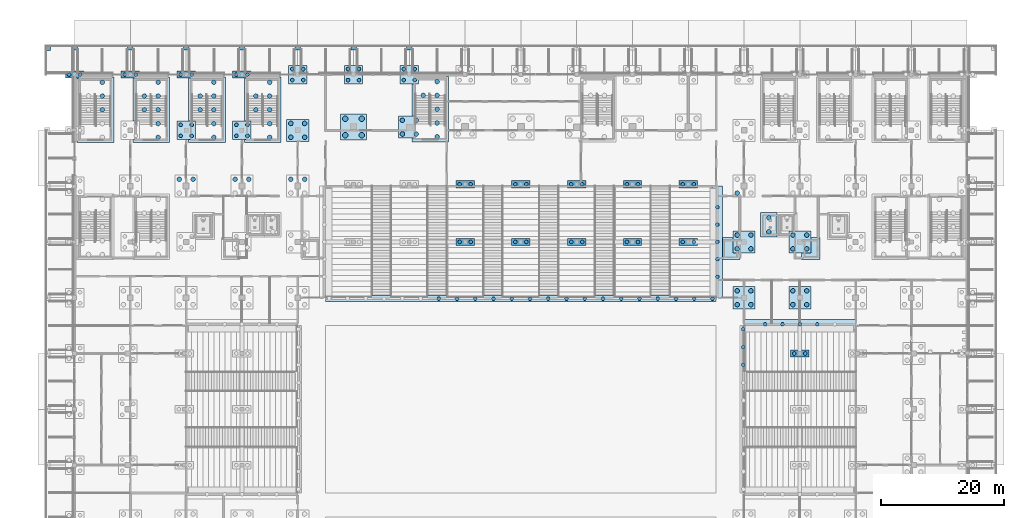
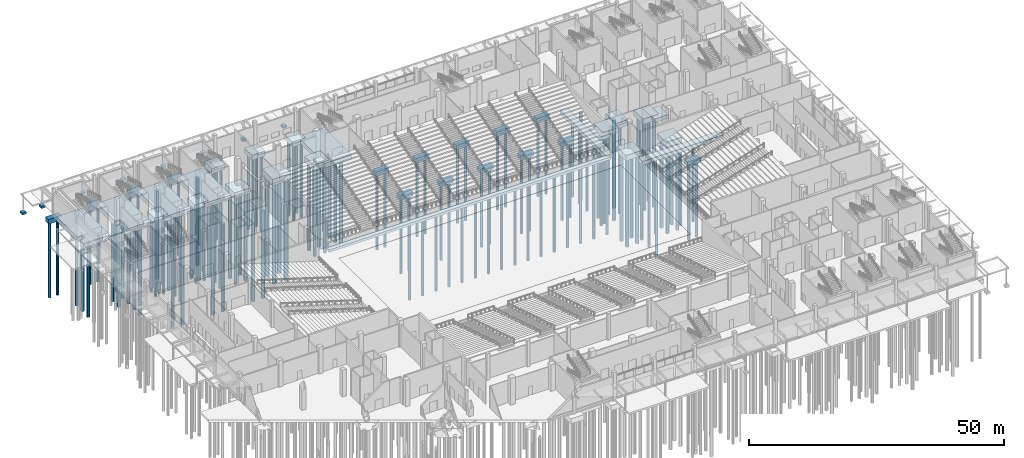
# One storey, part 4 of 129: 145 piles, 46 footings.
"""IFC4 building model written with IfcOpenShell, lengths in metres."""

from ifc_helpers import new_model, si_unit, direction, frame, origin, origin_2d, place, context, subcontext, project, spatial, polyline, rectangle, circle, outline, extrude, material, material_profile, profile_set, type_object, element, save


model = new_model("IFC4")

# Units and contexts
model_context = context("Model", 3, precision=1e-05, world=origin(), true_north=direction((0.0, 1.0)))
body_context = subcontext(model_context, "Body", "Model", "MODEL_VIEW")
ifc_project = project(units=[si_unit("LENGTHUNIT", "METRE"), si_unit("AREAUNIT", "SQUARE_METRE"), si_unit("VOLUMEUNIT", "CUBIC_METRE"), si_unit("PLANEANGLEUNIT", "RADIAN"), si_unit("MASSUNIT", "GRAM", prefix="KILO")], contexts=[model_context])

# Site, building, storey
site_placement = place(None, origin())
site = spatial("IfcSite", under=ifc_project, at=site_placement, CompositionType="ELEMENT")
building_placement = place(site_placement, origin())
building = spatial("IfcBuilding", under=site, at=building_placement, Name="Shirokan Park Arena", CompositionType="ELEMENT")
storey_placement = place(building_placement, origin())
storey = spatial("IfcBuildingStorey", under=building, at=storey_placement, Name="L00", CompositionType="ELEMENT", Elevation=0.0)

# Piles
ifc_material = material(Name="Concrete C30", Category="concrete")
ifc_material_profile_1 = material_profile(ifc_material, circle(Radius=0.300048828125, at=origin_2d()), Name="D600")
ifc_profile_set_1 = profile_set([ifc_material_profile_1], Name="Concrete C30")
pile_type_1 = type_object("IfcPileType", Name="Bored pile 600", PredefinedType="BORED", material=ifc_profile_set_1)
for number, where, z_axis, x_axis, name in (
    (1, (-0.89990234375, 109.199951171875, -1.5), (0.0, 0.0, -1.0), (1.0, 0.0, 0.0), "Bored pile 1N 1"),
    (2, (0.89990234375, 109.199951171875, -1.5), (0.0, 0.0, -1.0), (1.0, 0.0, 0.0), "Bored pile 1N 2"),
    (3, (8.199951171875, 109.199951171875, -1.5), (0.0, 0.0, -1.0), (1.0, 0.0, 0.0), "Bored pile 2N 1"),
    (4, (10.0, 109.199951171875, -1.5), (0.0, 0.0, -1.0), (1.0, 0.0, 0.0), "Bored pile 2N 2"),
    (5, (17.300048828125, 99.199951171875, -1.60009765625), (0.0, 0.0, -1.0), (1.0, 0.0, 0.0), "Bored pile 3M 1"),
    (6, (17.300048828125, 101.0, -1.60009765625), (0.0, 0.0, -1.0), (1.0, 0.0, 0.0), "Bored pile 3M 2"),
    (7, (19.10009765625, 99.199951171875, -1.60009765625), (0.0, 0.0, -1.0), (1.0, 0.0, 0.0), "Bored pile 3M 3"),
    (8, (19.10009765625, 101.0, -1.60009765625), (0.0, 0.0, -1.0), (1.0, 0.0, 0.0), "Bored pile 3M 4"),
    (9, (17.300048828125, 109.199951171875, -1.5), (0.0, 0.0, -1.0), (1.0, 0.0, 0.0), "Bored pile 3N 1"),
    (10, (19.10009765625, 109.199951171875, -1.5), (0.0, 0.0, -1.0), (1.0, 0.0, 0.0), "Bored pile 3N 2"),
    (11, (26.39990234375, 99.199951171875, -1.60009765625), (0.0, 0.0, -1.0), (1.0, 0.0, 0.0), "Bored pile 4M 1"),
    (12, (26.39990234375, 101.0, -1.60009765625), (0.0, 0.0, -1.0), (1.0, 0.0, 0.0), "Bored pile 4M 2"),
    (13, (28.199951171875, 99.199951171875, -1.60009765625), (0.0, 0.0, -1.0), (1.0, 0.0, 0.0), "Bored pile 4M 3"),
    (14, (28.199951171875, 101.0, -1.60009765625), (0.0, 0.0, -1.0), (1.0, 0.0, 0.0), "Bored pile 4M 4"),
    (15, (26.39990234375, 109.199951171875, -1.5), (0.0, 0.0, -1.0), (1.0, 0.0, 0.0), "Bored pile 4N 1"),
    (16, (28.199951171875, 109.199951171875, -1.5), (0.0, 0.0, -1.0), (1.0, 0.0, 0.0), "Bored pile 4N 2"),
    (17, (35.5, 108.300048828125, -1.60009765625), (0.0, 0.0, -1.0), (1.0, 0.0, 0.0), "Bored pile 5N 1"),
    (18, (35.5, 110.10009765625, -1.60009765625), (0.0, 0.0, -1.0), (1.0, 0.0, 0.0), "Bored pile 5N 2"),
    (19, (37.300048828125, 108.300048828125, -1.60009765625), (0.0, 0.0, -1.0), (1.0, 0.0, 0.0), "Bored pile 5N 3"),
    (20, (37.300048828125, 110.10009765625, -1.60009765625), (0.0, 0.0, -1.0), (1.0, 0.0, 0.0), "Bored pile 5N 4"),
    (21, (44.60009765625, 108.300048828125, -1.60009765625), (0.0, 0.0, -1.0), (1.0, 0.0, 0.0), "Bored pile 6N 1"),
    (22, (44.60009765625, 110.10009765625, -1.60009765625), (0.0, 0.0, -1.0), (1.0, 0.0, 0.0), "Bored pile 6N 2"),
    (23, (46.39990234375, 108.300048828125, -1.60009765625), (0.0, 0.0, -1.0), (1.0, 0.0, 0.0), "Bored pile 6N 3"),
    (24, (46.39990234375, 110.10009765625, -1.60009765625), (0.0, 0.0, -1.0), (1.0, 0.0, 0.0), "Bored pile 6N 4"),
    (25, (53.699951171875, 108.300048828125, -1.60009765625), (0.0, 0.0, -1.0), (1.0, 0.0, 0.0), "Bored pile 7N 1"),
    (26, (53.699951171875, 110.10009765625, -1.60009765625), (0.0, 0.0, -1.0), (1.0, 0.0, 0.0), "Bored pile 7N 2"),
    (27, (55.5, 108.300048828125, -1.60009765625), (0.0, 0.0, -1.0), (1.0, 0.0, 0.0), "Bored pile 7N 3"),
    (28, (55.5, 110.10009765625, -1.60009765625), (0.0, 0.0, -1.0), (1.0, 0.0, 0.0), "Bored pile 7N 4"),
    (29, (62.800048828125, 81.89990234375, -1.5), (0.0, 0.0, -1.0), (1.0, 0.0, 0.0), "Bored pile 8K 1"),
    (30, (64.60009765625, 81.89990234375, -1.5), (0.0, 0.0, -1.0), (1.0, 0.0, 0.0), "Bored pile 8K 2"),
    (31, (62.800048828125, 91.300048828125, -1.5), (0.0, 0.0, -1.0), (1.0, 0.0, 0.0), "Bored pile 8L 1"),
    (32, (64.60009765625, 91.300048828125, -1.5), (0.0, 0.0, -1.0), (1.0, 0.0, 0.0), "Bored pile 8L 2"),
    (33, (71.89990234375, 81.89990234375, -1.5), (0.0, 0.0, -1.0), (1.0, 0.0, 0.0), "Bored pile 9K 1"),
    (34, (73.699951171875, 81.89990234375, -1.5), (0.0, 0.0, -1.0), (1.0, 0.0, 0.0), "Bored pile 9K 2"),
    (35, (71.89990234375, 91.300048828125, -1.5), (0.0, 0.0, -1.0), (1.0, 0.0, 0.0), "Bored pile 9L 1"),
    (36, (73.699951171875, 91.300048828125, -1.5), (0.0, 0.0, -1.0), (1.0, 0.0, 0.0), "Bored pile 9L 2"),
    (37, (81.0, 81.89990234375, -1.5), (0.0, 0.0, -1.0), (1.0, 0.0, 0.0), "Bored pile 10K 1"),
    (38, (82.800048828125, 81.89990234375, -1.5), (0.0, 0.0, -1.0), (1.0, 0.0, 0.0), "Bored pile 10K 2"),
    (39, (81.0, 91.300048828125, -1.5), (0.0, 0.0, -1.0), (1.0, 0.0, 0.0), "Bored pile 10L 1"),
    (40, (82.800048828125, 91.300048828125, -1.5), (0.0, 0.0, -1.0), (1.0, 0.0, 0.0), "Bored pile 10L 2"),
    (41, (90.10009765625, 81.89990234375, -1.5), (0.0, 0.0, -1.0), (1.0, 0.0, 0.0), "Bored pile 11K 1"),
    (42, (91.89990234375, 81.89990234375, -1.5), (0.0, 0.0, -1.0), (1.0, 0.0, 0.0), "Bored pile 11K 2"),
    (43, (90.10009765625, 91.300048828125, -1.5), (0.0, 0.0, -1.0), (1.0, 0.0, 0.0), "Bored pile 11L 1"),
    (44, (91.89990234375, 91.300048828125, -1.5), (0.0, 0.0, -1.0), (1.0, 0.0, 0.0), "Bored pile 11L 2"),
    (45, (99.199951171875, 81.89990234375, -1.5), (0.0, 0.0, -1.0), (1.0, 0.0, 0.0), "Bored pile 12K 1"),
    (46, (101.0, 81.89990234375, -1.5), (0.0, 0.0, -1.0), (1.0, 0.0, 0.0), "Bored pile 12K 2"),
    (47, (99.199951171875, 91.300048828125, -1.5), (0.0, 0.0, -1.0), (1.0, 0.0, 0.0), "Bored pile 12L 1"),
    (48, (101.0, 91.300048828125, -1.5), (0.0, 0.0, -1.0), (1.0, 0.0, 0.0), "Bored pile 12L 2"),
    (49, (117.39990234375, 63.699951171875, -1.5), (0.0, 0.0, -1.0), (1.0, 0.0, 0.0), "Bored pile 14H 1"),
    (50, (119.199951171875, 63.699951171875, -1.5), (0.0, 0.0, -1.0), (1.0, 0.0, 0.0), "Bored pile 14H 2"),
    (51, (59.4072265625, 72.64990234375, -1.0), (0.0, 0.0, -1.0), (1.0, 0.0, 0.0), "Bored pile front wall N 7"),
    (52, (62.38330078125, 72.64990234375, -1.0), (0.0, 0.0, -1.0), (1.0, 0.0, 0.0), "Bored pile front wall N 8"),
    (53, (65.359619140625, 72.64990234375, -1.0), (0.0, 0.0, -1.0), (1.0, 0.0, 0.0), "Bored pile front wall N 9"),
    (54, (68.335693359375, 72.64990234375, -1.0), (0.0, 0.0, -1.0), (1.0, 0.0, 0.0), "Bored pile front wall N 10"),
    (55, (71.31201171875, 72.64990234375, -1.0), (0.0, 0.0, -1.0), (1.0, 0.0, 0.0), "Bored pile front wall N 11"),
    (56, (74.2880859375, 72.64990234375, -1.0), (0.0, 0.0, -1.0), (1.0, 0.0, 0.0), "Bored pile front wall N 12"),
    (57, (77.264404296875, 72.64990234375, -1.0), (0.0, 0.0, -1.0), (1.0, 0.0, 0.0), "Bored pile front wall N 13"),
    (58, (80.240478515625, 72.64990234375, -1.0), (0.0, 0.0, -1.0), (1.0, 0.0, 0.0), "Bored pile front wall N 14"),
    (59, (83.216552734375, 72.64990234375, -1.0), (0.0, 0.0, -1.0), (1.0, 0.0, 0.0), "Bored pile front wall N 15"),
    (60, (86.19287109375, 72.64990234375, -1.0), (0.0, 0.0, -1.0), (1.0, 0.0, 0.0), "Bored pile front wall N 16"),
    (61, (89.1689453125, 72.64990234375, -1.0), (0.0, 0.0, -1.0), (1.0, 0.0, 0.0), "Bored pile front wall N 17"),
    (62, (92.145263671875, 72.64990234375, -1.0), (0.0, 0.0, -1.0), (1.0, 0.0, 0.0), "Bored pile front wall N 18"),
    (63, (95.121337890625, 72.64990234375, -1.0), (0.0, 0.0, -1.0), (1.0, 0.0, 0.0), "Bored pile front wall N 19"),
    (64, (98.09765625, 72.64990234375, -1.0), (0.0, 0.0, -1.0), (1.0, 0.0, 0.0), "Bored pile front wall N 20"),
    (65, (101.07373046875, 72.64990234375, -1.0), (0.0, 0.0, -1.0), (1.0, 0.0, 0.0), "Bored pile front wall N 21"),
    (66, (104.050048828125, 72.64990234375, -1.0), (0.0, 0.0, -1.0), (1.0, 0.0, 0.0), "Bored pile front wall N 22"),
    (67, (109.050048828125, 61.85009765625, -1.0), (0.0, 0.0, -1.0), (1.0, 0.0, 0.0), "Bored pile front wall E 8"),
    (68, (109.050048828125, 64.75, -1.0), (0.0, 0.0, -1.0), (1.0, 0.0, 0.0), "Bored pile front wall E 9"),
    (69, (109.050048828125, 67.64990234375, -1.0), (0.0, 0.0, -1.0), (1.0, 0.0, 0.0), "Bored pile front wall E 10"),
    (70, (104.85009765625, 76.2333984375, -1.300048828125), (0.0, 0.0, -1.0), (1.0, 0.0, 0.0), "Bored pile flank wall N2 1"),
    (71, (104.85009765625, 79.066650390625, -1.300048828125), (0.0, 0.0, -1.0), (1.0, 0.0, 0.0), "Bored pile flank wall N2 2"),
    (72, (104.85009765625, 81.89990234375, -1.300048828125), (0.0, 0.0, -1.0), (1.0, 0.0, 0.0), "Bored pile flank wall N2 3"),
    (73, (104.85009765625, 84.7333984375, -1.300048828125), (0.0, 0.0, -1.0), (1.0, 0.0, 0.0), "Bored pile flank wall N2 4"),
    (74, (104.85009765625, 87.566650390625, -1.300048828125), (0.0, 0.0, -1.0), (1.0, 0.0, 0.0), "Bored pile flank wall N2 5"),
    (75, (112.63330078125, 68.449951171875, -1.300048828125), (0.0, 0.0, -1.0), (1.0, 0.0, 0.0), "Bored pile flank wall E2 1"),
    (76, (115.466552734375, 68.449951171875, -1.300048828125), (0.0, 0.0, -1.0), (1.0, 0.0, 0.0), "Bored pile flank wall E2 2"),
    (77, (118.300048828125, 68.449951171875, -1.300048828125), (0.0, 0.0, -1.0), (1.0, 0.0, 0.0), "Bored pile flank wall E2 3"),
    (78, (121.13330078125, 68.449951171875, -1.300048828125), (0.0, 0.0, -1.0), (1.0, 0.0, 0.0), "Bored pile flank wall E2 4"),
):
    element("IfcPile", number, at=place(storey_placement, frame(where, z_axis=z_axis, x_axis=x_axis)), inside=storey, type_object=pile_type_1, Name=name, PredefinedType="BORED", context=body_context, shape_type="SweptSolid", body=[
        extrude(circle(Radius=0.300048828125, at=origin_2d()), origin(), (0.0, 0.0, 1.0), 18.0),
    ])
ifc_material_profile_2 = material_profile(ifc_material, circle(Radius=0.375, at=origin_2d()), Name="D750")
ifc_profile_set_2 = profile_set([ifc_material_profile_2], Name="Concrete C30")
pile_type_2 = type_object("IfcPileType", Name="Bored pile 750", PredefinedType="BORED", material=ifc_profile_set_2)
for number, where, z_axis, x_axis, name in (
    (79, (17.074951171875, 92.125, -1.699951171875), (0.0, 0.0, -1.0), (1.0, 0.0, 0.0), "Bored pile 3L 2"),
    (80, (19.324951171875, 92.125, -1.699951171875), (0.0, 0.0, -1.0), (1.0, 0.0, 0.0), "Bored pile 3L 4"),
    (81, (26.175048828125, 92.125, -1.699951171875), (0.0, 0.0, -1.0), (1.0, 0.0, 0.0), "Bored pile 4L 2"),
    (82, (28.425048828125, 92.125, -1.699951171875), (0.0, 0.0, -1.0), (1.0, 0.0, 0.0), "Bored pile 4L 4"),
    (83, (35.27490234375, 92.125, -1.699951171875), (0.0, 0.0, -1.0), (1.0, 0.0, 0.0), "Bored pile 5L 2"),
    (84, (37.52490234375, 92.125, -1.699951171875), (0.0, 0.0, -1.0), (1.0, 0.0, 0.0), "Bored pile 5L 4"),
    (85, (35.27490234375, 98.97509765625, -1.699951171875), (0.0, 0.0, -1.0), (1.0, 0.0, 0.0), "Bored pile 5M 1"),
    (86, (35.27490234375, 101.22509765625, -1.699951171875), (0.0, 0.0, -1.0), (1.0, 0.0, 0.0), "Bored pile 5M 2"),
    (87, (37.52490234375, 98.97509765625, -1.699951171875), (0.0, 0.0, -1.0), (1.0, 0.0, 0.0), "Bored pile 5M 3"),
    (88, (37.52490234375, 101.22509765625, -1.699951171875), (0.0, 0.0, -1.0), (1.0, 0.0, 0.0), "Bored pile 5M 4"),
    (89, (53.47509765625, 99.5, -1.699951171875), (0.0, 0.0, -1.0), (1.0, 0.0, 0.0), "Bored pile 7M 1"),
    (90, (53.47509765625, 101.75, -1.699951171875), (0.0, 0.0, -1.0), (1.0, 0.0, 0.0), "Bored pile 7M 2"),
    (91, (55.72509765625, 99.5, -1.699951171875), (0.0, 0.0, -1.0), (1.0, 0.0, 0.0), "Bored pile 7M 3"),
    (92, (55.72509765625, 101.75, -1.699951171875), (0.0, 0.0, -1.0), (1.0, 0.0, 0.0), "Bored pile 7M 4"),
    (93, (108.074951171875, 71.675048828125, -1.699951171875), (0.0, 0.0, -1.0), (1.0, 0.0, 0.0), "Bored pile 13J 1"),
    (94, (108.074951171875, 73.925048828125, -1.699951171875), (0.0, 0.0, -1.0), (1.0, 0.0, 0.0), "Bored pile 13J 2"),
    (95, (110.324951171875, 71.675048828125, -1.699951171875), (0.0, 0.0, -1.0), (1.0, 0.0, 0.0), "Bored pile 13J 3"),
    (96, (110.324951171875, 73.925048828125, -1.699951171875), (0.0, 0.0, -1.0), (1.0, 0.0, 0.0), "Bored pile 13J 4"),
    (97, (108.074951171875, 80.77490234375, -1.699951171875), (0.0, 0.0, -1.0), (1.0, 0.0, 0.0), "Bored pile 13K 1"),
    (98, (108.074951171875, 83.02490234375, -1.699951171875), (0.0, 0.0, -1.0), (1.0, 0.0, 0.0), "Bored pile 13K 2"),
    (99, (110.324951171875, 80.77490234375, -1.699951171875), (0.0, 0.0, -1.0), (1.0, 0.0, 0.0), "Bored pile 13K 3"),
    (100, (110.324951171875, 83.02490234375, -1.699951171875), (0.0, 0.0, -1.0), (1.0, 0.0, 0.0), "Bored pile 13K 4"),
    (101, (108.074951171875, 89.875, -1.699951171875), (0.0, 0.0, -1.0), (1.0, 0.0, 0.0), "Bored pile 13L 1"),
    (102, (117.175048828125, 71.675048828125, -1.699951171875), (0.0, 0.0, -1.0), (1.0, 0.0, 0.0), "Bored pile 14J 1"),
    (103, (117.175048828125, 73.925048828125, -1.699951171875), (0.0, 0.0, -1.0), (1.0, 0.0, 0.0), "Bored pile 14J 2"),
    (104, (119.425048828125, 71.675048828125, -1.699951171875), (0.0, 0.0, -1.0), (1.0, 0.0, 0.0), "Bored pile 14J 3"),
    (105, (119.425048828125, 73.925048828125, -1.699951171875), (0.0, 0.0, -1.0), (1.0, 0.0, 0.0), "Bored pile 14J 4"),
    (106, (117.175048828125, 80.77490234375, -1.699951171875), (0.0, 0.0, -1.0), (1.0, 0.0, 0.0), "Bored pile 14K 1"),
    (107, (117.175048828125, 83.02490234375, -1.699951171875), (0.0, 0.0, -1.0), (1.0, 0.0, 0.0), "Bored pile 14K 2"),
    (108, (119.425048828125, 80.77490234375, -1.699951171875), (0.0, 0.0, -1.0), (1.0, 0.0, 0.0), "Bored pile 14K 3"),
    (109, (119.425048828125, 83.02490234375, -1.699951171875), (0.0, 0.0, -1.0), (1.0, 0.0, 0.0), "Bored pile 14K 4"),
    (110, (113.25, 83.574951171875, -2.800048828125), (0.0, 0.0, -1.0), (1.0, 0.0, 0.0), "Bored pile Passenger Lift 3.2 1"),
    (111, (113.25, 85.824951171875, -2.800048828125), (0.0, 0.0, -1.0), (1.0, 0.0, 0.0), "Bored pile Passenger Lift 3.2 2"),
    (112, (4.52490234375, 103.449951171875, -1.5), (0.0, 0.0, -1.0), (1.0, 0.0, 0.0), "Bored pile Exit Stair 4.A 5"),
    (113, (4.52490234375, 105.699951171875, -1.5), (0.0, 0.0, -1.0), (1.0, 0.0, 0.0), "Bored pile Exit Stair 4.A 6"),
    (114, (4.52490234375, 107.949951171875, -1.5), (0.0, 0.0, -1.0), (1.0, 0.0, 0.0), "Bored pile Exit Stair 4.A 7"),
    (115, (11.375, 103.449951171875, -1.5), (0.0, 0.0, -1.0), (1.0, 0.0, 0.0), "Bored pile Exit Stair 4.B 1"),
    (116, (11.375, 105.699951171875, -1.5), (0.0, 0.0, -1.0), (1.0, 0.0, 0.0), "Bored pile Exit Stair 4.B 2"),
    (117, (13.625, 98.949951171875, -1.5), (0.0, 0.0, -1.0), (1.0, 0.0, 0.0), "Bored pile Exit Stair 4.B 3"),
    (118, (13.625, 101.199951171875, -1.5), (0.0, 0.0, -1.0), (1.0, 0.0, 0.0), "Bored pile Exit Stair 4.B 4"),
    (119, (13.625, 103.449951171875, -1.5), (0.0, 0.0, -1.0), (1.0, 0.0, 0.0), "Bored pile Exit Stair 4.B 5"),
    (120, (13.625, 105.699951171875, -1.5), (0.0, 0.0, -1.0), (1.0, 0.0, 0.0), "Bored pile Exit Stair 4.B 6"),
    (121, (13.625, 107.949951171875, -1.5), (0.0, 0.0, -1.0), (1.0, 0.0, 0.0), "Bored pile Exit Stair 4.B 7"),
    (122, (20.47509765625, 103.449951171875, -1.5), (0.0, 0.0, -1.0), (1.0, 0.0, 0.0), "Bored pile Exit Stair 4.C 1"),
    (123, (20.47509765625, 105.699951171875, -1.5), (0.0, 0.0, -1.0), (1.0, 0.0, 0.0), "Bored pile Exit Stair 4.C 2"),
    (124, (22.72509765625, 98.949951171875, -1.5), (0.0, 0.0, -1.0), (1.0, 0.0, 0.0), "Bored pile Exit Stair 4.C 3"),
    (125, (22.72509765625, 101.199951171875, -1.5), (0.0, 0.0, -1.0), (1.0, 0.0, 0.0), "Bored pile Exit Stair 4.C 4"),
    (126, (22.72509765625, 103.449951171875, -1.5), (0.0, 0.0, -1.0), (1.0, 0.0, 0.0), "Bored pile Exit Stair 4.C 5"),
    (127, (22.72509765625, 105.699951171875, -1.5), (0.0, 0.0, -1.0), (1.0, 0.0, 0.0), "Bored pile Exit Stair 4.C 6"),
    (128, (22.72509765625, 107.949951171875, -1.5), (0.0, 0.0, -1.0), (1.0, 0.0, 0.0), "Bored pile Exit Stair 4.C 7"),
    (129, (29.574951171875, 103.449951171875, -1.5), (0.0, 0.0, -1.0), (1.0, 0.0, 0.0), "Bored pile Exit Stair 4.D 1"),
    (130, (29.574951171875, 105.699951171875, -1.5), (0.0, 0.0, -1.0), (1.0, 0.0, 0.0), "Bored pile Exit Stair 4.D 2"),
    (131, (31.824951171875, 98.949951171875, -1.5), (0.0, 0.0, -1.0), (1.0, 0.0, 0.0), "Bored pile Exit Stair 4.D 3"),
    (132, (31.824951171875, 101.199951171875, -1.5), (0.0, 0.0, -1.0), (1.0, 0.0, 0.0), "Bored pile Exit Stair 4.D 4"),
    (133, (31.824951171875, 103.449951171875, -1.5), (0.0, 0.0, -1.0), (1.0, 0.0, 0.0), "Bored pile Exit Stair 4.D 5"),
    (134, (31.824951171875, 105.699951171875, -1.5), (0.0, 0.0, -1.0), (1.0, 0.0, 0.0), "Bored pile Exit Stair 4.D 6"),
    (135, (31.824951171875, 107.949951171875, -1.5), (0.0, 0.0, -1.0), (1.0, 0.0, 0.0), "Bored pile Exit Stair 4.D 7"),
    (136, (56.875, 105.800048828125, -1.5), (0.0, 0.0, -1.0), (1.0, 0.0, 0.0), "Bored pile Entrance Stair E4.1 1"),
    (137, (59.125, 99.050048828125, -1.5), (0.0, 0.0, -1.0), (1.0, 0.0, 0.0), "Bored pile Entrance Stair E4.1 2"),
    (138, (59.125, 101.300048828125, -1.5), (0.0, 0.0, -1.0), (1.0, 0.0, 0.0), "Bored pile Entrance Stair E4.1 3"),
    (139, (59.125, 103.550048828125, -1.5), (0.0, 0.0, -1.0), (1.0, 0.0, 0.0), "Bored pile Entrance Stair E4.1 4"),
    (140, (59.125, 105.800048828125, -1.5), (0.0, 0.0, -1.0), (1.0, 0.0, 0.0), "Bored pile Entrance Stair E4.1 5"),
    (141, (59.125, 108.050048828125, -1.5), (0.0, 0.0, -1.0), (1.0, 0.0, 0.0), "Bored pile Entrance Stair E4.1 6"),
):
    element("IfcPile", number, at=place(storey_placement, frame(where, z_axis=z_axis, x_axis=x_axis)), inside=storey, type_object=pile_type_2, Name=name, PredefinedType="BORED", context=body_context, shape_type="SweptSolid", body=[
        extrude(circle(Radius=0.375, at=origin_2d()), origin(), (0.0, 0.0, 1.0), 21.0),
    ])
ifc_material_profile_3 = material_profile(ifc_material, circle(Radius=0.449951171875, at=origin_2d()), Name="D900")
ifc_profile_set_3 = profile_set([ifc_material_profile_3], Name="Concrete C30")
pile_type_3 = type_object("IfcPileType", Name="Bored pile 900", PredefinedType="BORED", material=ifc_profile_set_3)
for number, where, z_axis, x_axis, name in (
    (142, (44.14990234375, 99.300048828125, -1.89990234375), (0.0, 0.0, -1.0), (1.0, 0.0, 0.0), "Bored pile 6M 1"),
    (143, (44.14990234375, 102.0, -1.89990234375), (0.0, 0.0, -1.0), (1.0, 0.0, 0.0), "Bored pile 6M 2"),
    (144, (46.85009765625, 99.300048828125, -1.89990234375), (0.0, 0.0, -1.0), (1.0, 0.0, 0.0), "Bored pile 6M 3"),
    (145, (46.85009765625, 102.0, -1.89990234375), (0.0, 0.0, -1.0), (1.0, 0.0, 0.0), "Bored pile 6M 4"),
):
    element("IfcPile", number, at=place(storey_placement, frame(where, z_axis=z_axis, x_axis=x_axis)), inside=storey, type_object=pile_type_3, Name=name, PredefinedType="BORED", context=body_context, shape_type="SweptSolid", body=[
        extrude(circle(Radius=0.449951171875, at=origin_2d()), origin(), (0.0, 0.0, 1.0), 24.0),
    ])

# Footings
footing_type_1 = type_object("IfcFootingType", Name="Pad footing 900x900x500", PredefinedType="PAD_FOOTING", material=ifc_material)
for number, where, z_axis, x_axis, name in (
    (146, (54.60009765625, 113.625, -0.89990234375), (0.0, 0.0, 1.0), (1.0, 0.0, 0.0), "Pad footing north grid 11"),
    (147, (45.5, 113.625, -0.89990234375), (0.0, 0.0, 1.0), (1.0, 0.0, 0.0), "Pad footing north grid 12"),
    (148, (36.39990234375, 113.625, -0.89990234375), (0.0, 0.0, 1.0), (1.0, 0.0, 0.0), "Pad footing north grid 13"),
    (149, (27.300048828125, 113.625, -0.89990234375), (0.0, 0.0, 1.0), (1.0, 0.0, 0.0), "Pad footing north grid 14"),
    (150, (18.199951171875, 113.625, -0.89990234375), (0.0, 0.0, 1.0), (1.0, 0.0, 0.0), "Pad footing north grid 15"),
    (151, (9.10009765625, 113.625, -0.89990234375), (0.0, 0.0, 1.0), (1.0, 0.0, 0.0), "Pad footing north grid 16"),
    (152, (0.0, 113.625, -0.89990234375), (0.0, 0.0, 1.0), (1.0, 0.0, 0.0), "Pad footing north grid 17"),
    (153, (-4.375, 113.574951171875, -0.89990234375), (0.0, 0.0, 1.0), (1.0, 0.0, 0.0), "Pad footing NW corner"),
):
    element("IfcFooting", number, at=place(storey_placement, frame(where, z_axis=z_axis, x_axis=x_axis)), inside=storey, type_object=footing_type_1, Name=name, PredefinedType="PAD_FOOTING", context=body_context, shape_type="SweptSolid", body=[
        extrude(rectangle(XDim=0.89990234375, YDim=0.89990234375, at=origin_2d()), origin(), (0.0, 0.0, 1.0), 0.5),
    ])
footing_type_2 = type_object("IfcFootingType", Name="Pile cap 2-pile 3000x1200x1100", PredefinedType="PILE_CAP", material=ifc_material)
for number, where, z_axis, x_axis, name in (
    (154, (0.0, 109.199951171875, -1.5), (0.0, 0.0, 1.0), (1.0, 0.0, 0.0), "Pile cap 1N"),
    (155, (9.10009765625, 109.199951171875, -1.5), (0.0, 0.0, 1.0), (1.0, 0.0, 0.0), "Pile cap 2N"),
    (156, (18.199951171875, 109.199951171875, -1.5), (0.0, 0.0, 1.0), (1.0, 0.0, 0.0), "Pile cap 3N"),
    (157, (27.300048828125, 109.199951171875, -1.5), (0.0, 0.0, 1.0), (1.0, 0.0, 0.0), "Pile cap 4N"),
    (158, (63.699951171875, 81.89990234375, -1.5), (0.0, 0.0, 1.0), (1.0, 0.0, 0.0), "Pile cap 8K"),
    (159, (63.699951171875, 91.300048828125, -1.5), (0.0, 0.0, 1.0), (1.0, 0.0, 0.0), "Pile cap 8L"),
    (160, (72.800048828125, 81.89990234375, -1.5), (0.0, 0.0, 1.0), (1.0, 0.0, 0.0), "Pile cap 9K"),
    (161, (72.800048828125, 91.300048828125, -1.5), (0.0, 0.0, 1.0), (1.0, 0.0, 0.0), "Pile cap 9L"),
    (162, (81.89990234375, 81.89990234375, -1.5), (0.0, 0.0, 1.0), (1.0, 0.0, 0.0), "Pile cap 10K"),
    (163, (81.89990234375, 91.300048828125, -1.5), (0.0, 0.0, 1.0), (1.0, 0.0, 0.0), "Pile cap 10L"),
    (164, (91.0, 81.89990234375, -1.5), (0.0, 0.0, 1.0), (1.0, 0.0, 0.0), "Pile cap 11K"),
    (165, (91.0, 91.300048828125, -1.5), (0.0, 0.0, 1.0), (1.0, 0.0, 0.0), "Pile cap 11L"),
    (166, (100.10009765625, 81.89990234375, -1.5), (0.0, 0.0, 1.0), (1.0, 0.0, 0.0), "Pile cap 12K"),
    (167, (100.10009765625, 91.300048828125, -1.5), (0.0, 0.0, 1.0), (1.0, 0.0, 0.0), "Pile cap 12L"),
    (168, (118.300048828125, 63.699951171875, -1.5), (0.0, 0.0, 1.0), (1.0, 0.0, 0.0), "Pile cap 14H"),
):
    element("IfcFooting", number, at=place(storey_placement, frame(where, z_axis=z_axis, x_axis=x_axis)), inside=storey, type_object=footing_type_2, Name=name, PredefinedType="PILE_CAP", context=body_context, shape_type="SweptSolid", body=[
        extrude(rectangle(XDim=3.0, YDim=1.199951171875, at=origin_2d()), origin(), (0.0, 0.0, 1.0), 1.10009765625),
    ])
footing_type_3 = type_object("IfcFootingType", Name="Pile cap 4-pile 3000x3000x1200", PredefinedType="PILE_CAP", material=ifc_material)
for number, where, z_axis, x_axis, name in (
    (169, (18.199951171875, 100.10009765625, -1.60009765625), (0.0, 0.0, 1.0), (1.0, 0.0, 0.0), "Pile cap 3M"),
    (170, (27.300048828125, 100.10009765625, -1.60009765625), (0.0, 0.0, 1.0), (1.0, 0.0, 0.0), "Pile cap 4M"),
    (171, (36.39990234375, 109.199951171875, -1.60009765625), (0.0, 0.0, 1.0), (1.0, 0.0, 0.0), "Pile cap 5N"),
    (172, (45.5, 109.199951171875, -1.60009765625), (0.0, 0.0, 1.0), (1.0, 0.0, 0.0), "Pile cap 6N"),
    (173, (54.60009765625, 109.199951171875, -1.60009765625), (0.0, 0.0, 1.0), (1.0, 0.0, 0.0), "Pile cap 7N"),
):
    element("IfcFooting", number, at=place(storey_placement, frame(where, z_axis=z_axis, x_axis=x_axis)), inside=storey, type_object=footing_type_3, Name=name, PredefinedType="PILE_CAP", context=body_context, shape_type="SweptSolid", body=[
        extrude(rectangle(XDim=3.0, YDim=3.0, at=origin_2d()), origin(), (0.0, 0.0, 1.0), 1.199951171875),
    ])
footing_type_4 = type_object("IfcFootingType", Name="Pile cap 4-pile 3600x3600x1300", PredefinedType="PILE_CAP", material=ifc_material)
for number, where, z_axis, x_axis, name in (
    (174, (36.39990234375, 100.10009765625, -1.7001953125), (0.0, 0.0, 1.0), (1.0, 0.0, 0.0), "Pile cap 5M"),
    (175, (54.60009765625, 100.625, -1.7001953125), (0.0, 0.0, 1.0), (1.0, 0.0, 0.0), "Pile cap 7M"),
    (176, (109.199951171875, 72.800048828125, -1.7001953125), (0.0, 0.0, 1.0), (1.0, 0.0, 0.0), "Pile cap 13J"),
    (177, (109.199951171875, 81.89990234375, -1.7001953125), (0.0, 0.0, 1.0), (1.0, 0.0, 0.0), "Pile cap 13K"),
    (178, (118.300048828125, 72.800048828125, -1.7001953125), (0.0, 0.0, 1.0), (1.0, 0.0, 0.0), "Pile cap 14J"),
    (179, (118.300048828125, 81.89990234375, -1.7001953125), (0.0, 0.0, 1.0), (1.0, 0.0, 0.0), "Pile cap 14K"),
):
    element("IfcFooting", number, at=place(storey_placement, frame(where, z_axis=z_axis, x_axis=x_axis)), inside=storey, type_object=footing_type_4, Name=name, PredefinedType="PILE_CAP", context=body_context, shape_type="SweptSolid", body=[
        extrude(rectangle(XDim=3.60009765625, YDim=3.60009765625, at=origin_2d()), origin(), (0.0, 0.0, 1.0), 1.300048828125),
    ])
footing_type_5 = type_object("IfcFootingType", Name="Pile cap 4-pile 4200x4200x1500", PredefinedType="PILE_CAP", material=ifc_material)
footing_1_placement = place(storey_placement, frame((45.5, 100.64990234375, -1.89990234375), z_axis=(0.0, 0.0, 1.0), x_axis=(1.0, 0.0, 0.0)))
element("IfcFooting", 180, at=footing_1_placement, inside=storey, type_object=footing_type_5, Name="Pile cap 6M", PredefinedType="PILE_CAP", context=body_context, shape_type="SweptSolid", body=[
    extrude(rectangle(XDim=4.199951171875, YDim=4.199951171875, at=origin_2d()), origin(), (0.0, 0.0, 1.0), 1.5),
])
footing_type_6 = type_object("IfcFootingType", Name="Shaft raft 1100", PredefinedType="PILE_CAP", material=ifc_material)
footing_2_placement = place(storey_placement, frame((0.0, 0.0, -1.5)))
element("IfcFooting", 181, at=footing_2_placement, inside=storey, type_object=footing_type_6, Name="Shaft raft Exit Stair 4.A", PredefinedType="PILE_CAP", context=body_context, shape_type="SweptSolid", body=[
    extrude(outline(polyline([(0.39990234375, 108.60009765625), (1.5, 108.60009765625), (1.5, 108.800048828125), (6.39990234375, 108.800048828125), (6.39990234375, 98.10009765625), (0.39990234375, 98.10009765625), (0.39990234375, 99.5), (1.5, 99.5), (1.5, 100.699951171875), (0.39990234375, 100.699951171875), (0.39990234375, 108.60009765625)])), origin(), (0.0, 0.0, 1.0), 1.10009765625),
])
footing_3_placement = place(storey_placement, frame((0.0, 0.0, -1.5)))
element("IfcFooting", 182, at=footing_3_placement, inside=storey, type_object=footing_type_6, Name="Shaft raft Exit Stair 4.B", PredefinedType="PILE_CAP", context=body_context, shape_type="SweptSolid", body=[
    extrude(outline(polyline([(9.5, 101.60009765625), (9.5, 108.60009765625), (10.60009765625, 108.60009765625), (10.60009765625, 108.800048828125), (15.5, 108.800048828125), (15.5, 98.10009765625), (9.5, 98.10009765625), (9.5, 98.60009765625), (10.60009765625, 98.60009765625), (10.60009765625, 101.60009765625), (9.5, 101.60009765625)])), origin(), (0.0, 0.0, 1.0), 1.10009765625),
])
footing_4_placement = place(storey_placement, frame((0.0, 0.0, -1.5)))
element("IfcFooting", 183, at=footing_4_placement, inside=storey, type_object=footing_type_6, Name="Shaft raft Exit Stair 4.C", PredefinedType="PILE_CAP", context=body_context, shape_type="SweptSolid", body=[
    extrude(outline(polyline([(19.699951171875, 101.60009765625), (18.60009765625, 101.60009765625), (18.60009765625, 108.60009765625), (19.699951171875, 108.60009765625), (19.699951171875, 108.800048828125), (24.60009765625, 108.800048828125), (24.60009765625, 98.10009765625), (18.60009765625, 98.10009765625), (18.60009765625, 98.60009765625), (19.699951171875, 98.60009765625), (19.699951171875, 101.60009765625)])), origin(), (0.0, 0.0, 1.0), 1.10009765625),
])
footing_5_placement = place(storey_placement, frame((0.0, 0.0, -1.5)))
element("IfcFooting", 184, at=footing_5_placement, inside=storey, type_object=footing_type_6, Name="Shaft raft Exit Stair 4.D", PredefinedType="PILE_CAP", context=body_context, shape_type="SweptSolid", body=[
    extrude(outline(polyline([(33.699951171875, 108.800048828125), (33.699951171875, 98.10009765625), (27.699951171875, 98.10009765625), (27.699951171875, 98.60009765625), (28.800048828125, 98.60009765625), (28.800048828125, 101.60009765625), (27.699951171875, 101.60009765625), (27.699951171875, 108.60009765625), (28.800048828125, 108.60009765625), (28.800048828125, 108.800048828125), (33.699951171875, 108.800048828125)])), origin(), (0.0, 0.0, 1.0), 1.10009765625),
])
footing_6_placement = place(storey_placement, frame((0.0, 0.0, -1.5)))
element("IfcFooting", 185, at=footing_6_placement, inside=storey, type_object=footing_type_6, Name="Shaft raft Entrance Stair E4.1", PredefinedType="PILE_CAP", context=body_context, shape_type="SweptSolid", body=[
    extrude(outline(polyline([(56.39990234375, 102.425048828125), (55.0, 102.425048828125), (55.0, 107.699951171875), (56.10009765625, 107.699951171875), (56.10009765625, 108.89990234375), (61.0, 108.89990234375), (61.0, 98.199951171875), (55.0, 98.199951171875), (55.0, 98.824951171875), (56.39990234375, 98.824951171875), (56.39990234375, 102.425048828125)])), origin(), (0.0, 0.0, 1.0), 1.10009765625),
])
footing_type_7 = type_object("IfcFootingType", Name="Shaft raft 1400", PredefinedType="PILE_CAP", material=ifc_material)
footing_7_placement = place(storey_placement, frame((0.0, 0.0, -2.800048828125)))
element("IfcFooting", 186, at=footing_7_placement, inside=storey, type_object=footing_type_7, Name="Shaft raft Passenger Lift 3.2", PredefinedType="PILE_CAP", context=body_context, shape_type="SweptSolid", body=[
    extrude(outline(polyline([(111.89990234375, 86.699951171875), (114.60009765625, 86.699951171875), (114.60009765625, 82.699951171875), (111.89990234375, 82.699951171875), (111.89990234375, 86.699951171875)])), origin(), (0.0, 0.0, 1.0), 1.400146484375),
])
footing_type_8 = type_object("IfcFootingType", Name="Shaft raft 900", PredefinedType="PILE_CAP", material=ifc_material)
footing_8_placement = place(storey_placement, frame((0.0, 0.0, -1.300048828125)))
element("IfcFooting", 187, at=footing_8_placement, inside=storey, type_object=footing_type_8, Name="Shaft raft Services Riser 3.1", PredefinedType="PILE_CAP", context=body_context, shape_type="SweptSolid", body=[
    extrude(outline(polyline([(108.5, 80.10009765625), (108.5, 79.0), (105.64990234375, 79.0), (105.64990234375, 82.60009765625), (107.39990234375, 82.60009765625), (107.39990234375, 80.10009765625), (108.5, 80.10009765625)])), origin(), (0.0, 0.0, 1.0), 0.900146484375),
])
footing_9_placement = place(storey_placement, frame((0.0, 0.0, -1.300048828125)))
element("IfcFooting", 188, at=footing_9_placement, inside=storey, type_object=footing_type_8, Name="Shaft raft Services Riser 3.2", PredefinedType="PILE_CAP", context=body_context, shape_type="SweptSolid", body=[
    extrude(outline(polyline([(121.60009765625, 79.0), (118.60009765625, 79.0), (118.60009765625, 80.10009765625), (120.10009765625, 80.10009765625), (120.10009765625, 82.60009765625), (121.60009765625, 82.60009765625), (121.60009765625, 79.0)])), origin(), (0.0, 0.0, 1.0), 0.900146484375),
])
footing_type_9 = type_object("IfcFootingType", Name="Strip footing 1000x600", PredefinedType="STRIP_FOOTING", material=ifc_material)
footing_10_placement = place(storey_placement, frame((72.800048828125, 72.64990234375, -1.0), z_axis=(0.0, 0.0, 1.0), x_axis=(1.0, 0.0, 0.0)))
element("IfcFooting", 189, at=footing_10_placement, inside=storey, type_object=footing_type_9, Name="Strip footing front wall N", PredefinedType="STRIP_FOOTING", context=body_context, shape_type="SweptSolid", body=[
    extrude(rectangle(XDim=63.699951171875, YDim=1.0, at=origin_2d()), origin(), (0.0, 0.0, 1.0), 0.60009765625),
])
footing_type_10 = type_object("IfcFootingType", Name="Strip footing 1600x900", PredefinedType="STRIP_FOOTING", material=ifc_material)
footing_11_placement = place(storey_placement, frame((0.0, 0.0, -1.300048828125)))
element("IfcFooting", 190, at=footing_11_placement, inside=storey, type_object=footing_type_10, Name="Strip footing flank wall N2", PredefinedType="STRIP_FOOTING", context=body_context, shape_type="SweptSolid", body=[
    extrude(outline(polyline([(105.64990234375, 91.0), (105.64990234375, 72.800048828125), (104.050048828125, 72.800048828125), (104.050048828125, 91.0), (105.64990234375, 91.0)])), origin(), (0.0, 0.0, 1.0), 0.900146484375),
])
footing_12_placement = place(storey_placement, frame((0.0, 0.0, -1.300048828125)))
element("IfcFooting", 191, at=footing_12_placement, inside=storey, type_object=footing_type_10, Name="Strip footing flank wall E2", PredefinedType="STRIP_FOOTING", context=body_context, shape_type="SweptSolid", body=[
    extrude(outline(polyline([(109.199951171875, 67.64990234375), (109.199951171875, 69.25), (127.39990234375, 69.25), (127.39990234375, 67.64990234375), (109.199951171875, 67.64990234375)])), origin(), (0.0, 0.0, 1.0), 0.900146484375),
])

save(model, "model.ifc")
